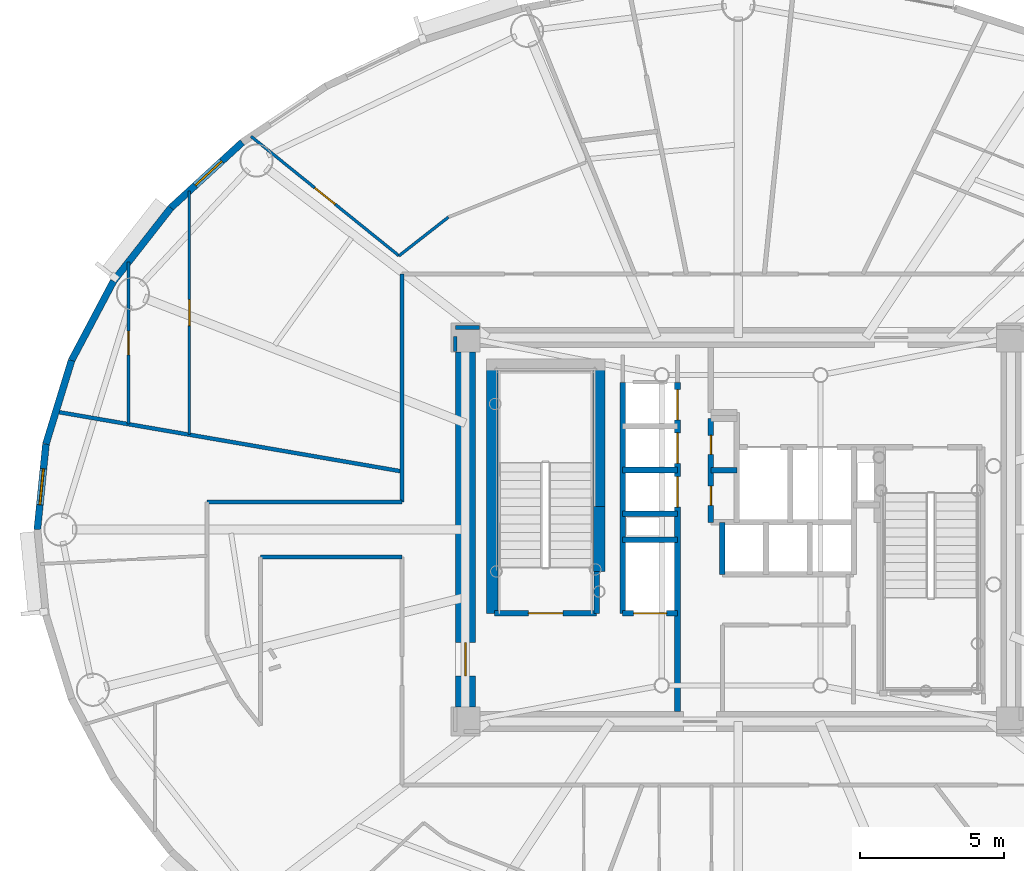
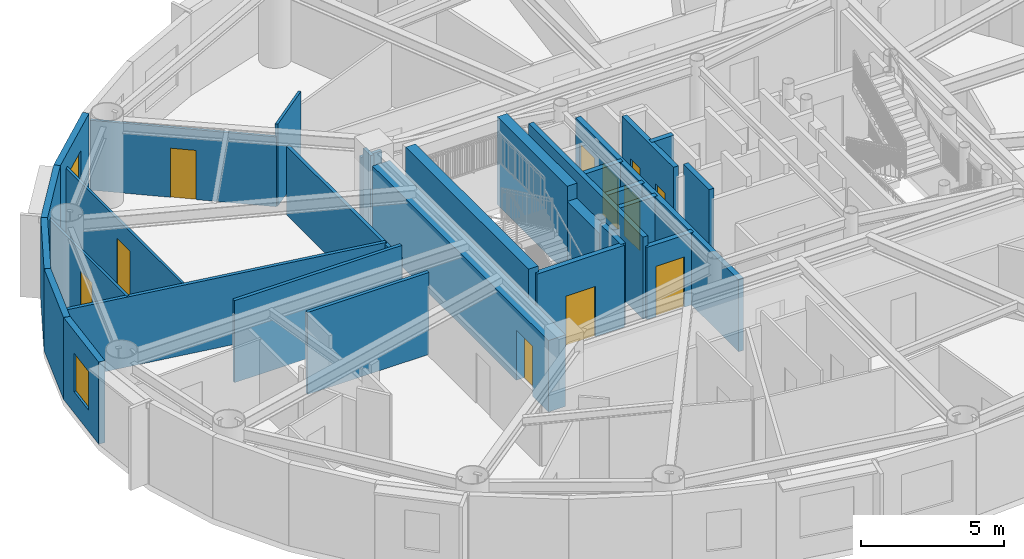
# One storey, part 7 of 18: 30 walls, 11 doors, 2 windows, 13 openings.
"""IFC4 building model written with IfcOpenShell, lengths in metres."""

from ifc_helpers import new_model, si_unit, direction, frame, frame_2d, origin, origin_2d, place, context, subcontext, project, spatial, rectangle, extrude, source, transform, mapped, material, layer, layer_set, type_object, element, fill, save


model = new_model("IFC4")

# Units and contexts
model_context = context("Model", 3, precision=1e-05, world=origin(), true_north=direction((0.0, 1.0)))
body_context = subcontext(model_context, "Body", "Model", "MODEL_VIEW")
ifc_project = project(units=[si_unit("LENGTHUNIT", "METRE"), si_unit("AREAUNIT", "SQUARE_METRE"), si_unit("VOLUMEUNIT", "CUBIC_METRE"), si_unit("PLANEANGLEUNIT", "RADIAN"), si_unit("MASSUNIT", "GRAM", prefix="KILO")], contexts=[model_context])

# Site, building, storey
site_placement = place(None, origin())
site = spatial("IfcSite", under=ifc_project, at=site_placement, CompositionType="ELEMENT")
building_placement = place(site_placement, origin())
building = spatial("IfcBuilding", under=site, at=building_placement, Name="Linh Dai School and Residence Tower", CompositionType="ELEMENT")
storey_placement = place(building_placement, frame((0.0, 0.0, 225.300048828125)))
storey = spatial("IfcBuildingStorey", under=building, at=storey_placement, Name="L55", CompositionType="ELEMENT", Elevation=225.300048828125)

# Wall, opening, window
ifc_material_1 = material(Name="Precast Concrete B45 (C35/45)", Category="concrete")
ifc_layer_1 = layer(ifc_material_1, 0.239990234375)
ifc_layer_set_1 = layer_set([ifc_layer_1], Name="Precast Concrete B45 (C35/45)")
wall_type_1 = type_object("IfcWallType", Name="EW-TC-240", PredefinedType="SOLIDWALL", material=ifc_layer_set_1)
wall_1_placement = place(storey_placement, frame((16.3515625, 38.14453125, 0.0), z_axis=(0.0, 0.0, 1.0), x_axis=(0.737123922599, 0.675757591694, 0.0)))
wall_1 = element("IfcWall", 1, at=wall_1_placement, inside=storey, type_object=wall_type_1, Name="L55 Terracotta Exterior Wall 16", PredefinedType="SOLIDWALL", context=body_context, shape_type="SweptSolid", body=[
    extrude(rectangle(XDim=3.353759765625, YDim=0.239990234375, at=frame_2d((1.6767578125, 0.0))), origin(), (0.0, 0.0, 1.0), 3.5),
])
opening_1_placement = place(wall_1_placement, frame((1.143798828125, 0.0, 0.89990234375)))
opening_1 = element("IfcOpeningElement", 2, at=opening_1_placement, cuts=wall_1, Name="Opening W3", PredefinedType="OPENING", context=body_context, shape_type="SweptSolid", body=[
    extrude(rectangle(XDim=1.25, YDim=1.64990234375, at=origin_2d()), frame((0.625, 0.1298828125, 0.824951171875), z_axis=(0.0, -1.0, 0.0), x_axis=(1.0, 0.0, 0.0)), (0.0, 0.0, 1.0), 0.260009765625),
])
ifc_material_2 = material(Name="Double Low-E Insulated Glazing", Category="glass")
window_type = type_object("IfcWindowType", Name="WN-RES-1250x1650", PartitioningType="SINGLE_PANEL", PredefinedType="WINDOW", material=ifc_material_2)
shared_shape_1 = source(origin(), body_context, "Body", "SweptSolid", [
    extrude(rectangle(XDim=1.25, YDim=1.64990234375, at=origin_2d()), frame((0.625, 0.030029296875, 0.824951171875), z_axis=(0.0, -1.0, 0.0), x_axis=(1.0, 0.0, 0.0)), (0.0, 0.0, 1.0), 0.06005859375),
])
window_1_placement = place(opening_1_placement, origin())
window_1 = element("IfcWindow", 3, at=window_1_placement, inside=storey, type_object=window_type, Name="L55 Dwelling Window U5501-LIV", OverallHeight=1.64990234375, OverallWidth=1.25, PartitioningType="SINGLE_PANEL", PredefinedType="WINDOW", context=body_context, shape_type="MappedRepresentation", body=[
    mapped(shared_shape_1, transform((0.0, 0.0, 0.0), x_axis=(1.0, 0.0, 0.0), y_axis=(0.0, 1.0, 0.0), z_axis=(0.0, 0.0, 1.0), scale=1.0)),
])
fill(opening_1, window_1)

# Walls
wall_2_placement = place(storey_placement, frame((14.3642578125, 35.605224609375, 0.0), z_axis=(0.0, 0.0, 1.0), x_axis=(0.616312344705, 0.787501805562, 0.0)))
element("IfcWall", 4, at=wall_2_placement, inside=storey, type_object=wall_type_1, Name="L55 Terracotta Exterior Wall 17", PredefinedType="SOLIDWALL", context=body_context, shape_type="SweptSolid", body=[
    extrude(rectangle(XDim=3.224609375, YDim=0.239990234375, at=frame_2d((1.6123046875, 0.0))), origin(), (0.0, 0.0, 1.0), 3.5),
])
wall_3_placement = place(storey_placement, frame((12.90966796875, 32.85595703125, 0.0), z_axis=(0.0, 0.0, 1.0), x_axis=(0.46766049993, 0.883908172157, 0.0)))
element("IfcWall", 5, at=wall_3_placement, inside=storey, type_object=wall_type_1, Name="L55 Terracotta Exterior Wall 18", PredefinedType="SOLIDWALL", context=body_context, shape_type="SweptSolid", body=[
    extrude(rectangle(XDim=3.1103515625, YDim=0.239990234375, at=frame_2d((1.55517578125, 0.0))), origin(), (0.0, 0.0, 1.0), 3.5),
])
wall_4_placement = place(storey_placement, frame((12.02294921875, 29.9638671875, 0.0), z_axis=(0.0, 0.0, 1.0), x_axis=(0.293132907334, 0.95607170162, 0.0)))
element("IfcWall", 6, at=wall_4_placement, inside=storey, type_object=wall_type_1, Name="L55 Terracotta Exterior Wall 19", PredefinedType="SOLIDWALL", context=body_context, shape_type="SweptSolid", body=[
    extrude(rectangle(XDim=3.02490234375, YDim=0.239990234375, at=frame_2d((1.512451171875, 0.0))), origin(), (0.0, 0.0, 1.0), 3.5),
])

# Wall, opening, window
wall_5_placement = place(storey_placement, frame((11.72509765625, 27.0, 0.0), z_axis=(0.0, 0.0, 1.0), x_axis=(0.099990595253, 0.994988382274, 0.0)))
wall_5 = element("IfcWall", 7, at=wall_5_placement, inside=storey, type_object=wall_type_1, Name="L55 Terracotta Exterior Wall 20", PredefinedType="SOLIDWALL", context=body_context, shape_type="SweptSolid", body=[
    extrude(rectangle(XDim=2.978759765625, YDim=0.239990234375, at=frame_2d((1.4892578125, 0.0))), origin(), (0.0, 0.0, 1.0), 3.5),
])
opening_2_placement = place(wall_5_placement, frame((0.864501953125, 0.0, 0.89990234375)))
opening_2 = element("IfcOpeningElement", 8, at=opening_2_placement, cuts=wall_5, Name="Opening W3", PredefinedType="OPENING", context=body_context, shape_type="SweptSolid", body=[
    extrude(rectangle(XDim=1.25, YDim=1.64990234375, at=origin_2d()), frame((0.625, 0.1298828125, 0.824951171875), z_axis=(0.0, -1.0, 0.0), x_axis=(1.0, 0.0, 0.0)), (0.0, 0.0, 1.0), 0.260009765625),
])
window_2_placement = place(opening_2_placement, origin())
window_2 = element("IfcWindow", 9, at=window_2_placement, inside=storey, type_object=window_type, Name="L55 Dwelling Window U5502-BD1", OverallHeight=1.64990234375, OverallWidth=1.25, PartitioningType="SINGLE_PANEL", PredefinedType="WINDOW", context=body_context, shape_type="MappedRepresentation", body=[
    mapped(shared_shape_1, transform((0.0, 0.0, 0.0), x_axis=(1.0, 0.0, 0.0), y_axis=(0.0, 1.0, 0.0), z_axis=(0.0, 0.0, 1.0), scale=1.0)),
])
fill(opening_2, window_2)

# Walls
ifc_material_3 = material(Name="Autoclaved Aerated Concrete Blockwork", Category="masonry")
ifc_layer_2 = layer(ifc_material_3, 0.135009765625)
ifc_layer_set_2 = layer_set([ifc_layer_2], Name="Autoclaved Aerated Concrete Blockwork")
wall_type_2 = type_object("IfcWallType", Name="IW-CORR-135-EI90", PredefinedType="PARTITIONING", material=ifc_layer_set_2)
wall_6_placement = place(storey_placement, frame((12.361328125, 31.08447265625, 0.0), z_axis=(0.0, 0.0, 1.0), x_axis=(0.98539748391, -0.17026978212, 0.0)))
element("IfcWall", 10, at=wall_6_placement, inside=storey, type_object=wall_type_2, Name="L55 Interior Partition Wall 002", PredefinedType="PARTITIONING", context=body_context, shape_type="SweptSolid", body=[
    extrude(rectangle(XDim=12.166259765625, YDim=0.135009765625, at=frame_2d((6.0830078125, 0.0))), origin(), (0.0, 0.0, 1.0), 2.98486328125),
])
wall_7_placement = place(storey_placement, frame((17.60009765625, 27.949951171875, 0.0), z_axis=(0.0, 0.0, 1.0), x_axis=(1.0, 0.0, 0.0)))
element("IfcWall", 11, at=wall_7_placement, inside=storey, type_object=wall_type_2, Name="L55 Interior Partition Wall 009", PredefinedType="PARTITIONING", context=body_context, shape_type="SweptSolid", body=[
    extrude(rectangle(XDim=6.75, YDim=0.135009765625, at=frame_2d((3.375, 0.0))), origin(), (0.0, 0.0, 1.0), 3.5),
])
wall_8_placement = place(storey_placement, frame((19.449951171875, 26.050048828125, 0.0), z_axis=(0.0, 0.0, 1.0), x_axis=(1.0, 0.0, 0.0)))
element("IfcWall", 12, at=wall_8_placement, inside=storey, type_object=wall_type_2, Name="L55 Interior Partition Wall 015", PredefinedType="PARTITIONING", context=body_context, shape_type="SweptSolid", body=[
    extrude(rectangle(XDim=4.900146484375, YDim=0.135009765625, at=frame_2d((2.4501953125, 0.0))), origin(), (0.0, 0.0, 1.0), 3.5),
])
wall_9_placement = place(storey_placement, frame((24.35009765625, 27.949951171875, 0.0), z_axis=(0.0, 0.0, 1.0), x_axis=(0.0, 1.0, 0.0)))
element("IfcWall", 13, at=wall_9_placement, inside=storey, type_object=wall_type_2, Name="L55 Interior Partition Wall 020", PredefinedType="PARTITIONING", context=body_context, shape_type="SweptSolid", body=[
    extrude(rectangle(XDim=7.900146484375, YDim=0.135009765625, at=frame_2d((3.9501953125, 0.0))), origin(), (0.0, 0.0, 1.0), 2.93505859375),
])
wall_10_placement = place(storey_placement, frame((27.0400390625, 34.0, 0.0), z_axis=(0.0, 0.0, 1.0), x_axis=(-1.0, 0.0, 0.0)))
element("IfcWall", 14, at=wall_10_placement, inside=storey, type_object=wall_type_2, Name="L55 Interior Partition Wall 099", PredefinedType="PARTITIONING", context=body_context, shape_type="SweptSolid", body=[
    extrude(rectangle(XDim=0.840087890625, YDim=0.135009765625, at=frame_2d((0.419921875, 0.0))), origin(), (0.0, 0.0, 1.0), 2.93505859375),
])
wall_11_placement = place(storey_placement, frame((26.199951171875, 33.6923828125, 0.0), z_axis=(0.0, 0.0, 1.0), x_axis=(0.0, -1.0, 0.0)))
element("IfcWall", 15, at=wall_11_placement, inside=storey, type_object=wall_type_2, Name="L55 Interior Partition Wall 100", PredefinedType="PARTITIONING", context=body_context, shape_type="SweptSolid", body=[
    extrude(rectangle(XDim=0.532470703125, YDim=0.135009765625, at=frame_2d((0.26611328125, 0.0))), origin(), (0.0, 0.0, 1.0), 3.5),
])

# Wall, opening, door
ifc_material_4 = material(Name="Concrete B45 (C35/45)", Category="concrete")
ifc_layer_3 = layer(ifc_material_4, 0.199951171875)
ifc_layer_set_3 = layer_set([ifc_layer_3], Name="Concrete B45 (C35/45)")
wall_type_3 = type_object("IfcWallType", Name="IW-SHAFT-200-EI120", PredefinedType="PARTITIONING", material=ifc_layer_set_3)
wall_12_placement = place(storey_placement, frame((27.56005859375, 24.10009765625, 0.0), z_axis=(0.0, 0.0, 1.0), x_axis=(1.0, 0.0, 0.0)))
wall_12 = element("IfcWall", 16, at=wall_12_placement, inside=storey, type_object=wall_type_3, Name="L55 Interior Partition Wall 025", PredefinedType="PARTITIONING", context=body_context, shape_type="SweptSolid", body=[
    extrude(rectangle(XDim=3.5400390625, YDim=0.199951171875, at=frame_2d((1.77001953125, 0.0))), origin(), (0.0, 0.0, 1.0), 3.5),
])
opening_3_placement = place(wall_12_placement, frame((1.169921875, 0.0, 0.0)))
opening_3 = element("IfcOpeningElement", 17, at=opening_3_placement, cuts=wall_12, Name="Opening D01", PredefinedType="OPENING", context=body_context, shape_type="SweptSolid", body=[
    extrude(rectangle(XDim=1.199951171875, YDim=2.14990234375, at=origin_2d()), frame((0.60009765625, 0.10986328125, 1.074951171875), z_axis=(0.0, -1.0, 0.0), x_axis=(1.0, 0.0, 0.0)), (0.0, 0.0, 1.0), 0.219970703125),
])
ifc_material_5 = material(Name="Fire-Rated Steel Door Leaf", Category="steel")
door_type_1 = type_object("IfcDoorType", Name="DR-STAIR-1200x2150-FD90S", OperationType="NOTDEFINED", PredefinedType="DOOR", material=ifc_material_5)
shared_shape_2 = source(origin(), body_context, "Body", "SweptSolid", [
    extrude(rectangle(XDim=1.199951171875, YDim=2.14990234375, at=origin_2d()), frame((0.60009765625, 0.02490234375, 1.074951171875), z_axis=(0.0, -1.0, 0.0), x_axis=(1.0, 0.0, 0.0)), (0.0, 0.0, 1.0), 0.050048828125),
])
door_1_placement = place(opening_3_placement, origin())
door_1 = element("IfcDoor", 18, at=door_1_placement, inside=storey, type_object=door_type_1, Name="L55 Core Smokeproof Exit Stair ST1 Door", OperationType="SINGLE_SWING_RIGHT", OverallHeight=2.14990234375, OverallWidth=1.199951171875, PredefinedType="DOOR", context=body_context, shape_type="MappedRepresentation", body=[
    mapped(shared_shape_2, transform((0.0, 0.0, 0.0), x_axis=(1.0, 0.0, 0.0), y_axis=(0.0, 1.0, 0.0), z_axis=(0.0, 0.0, 1.0), scale=1.0)),
])
fill(opening_3, door_1)

# Walls
wall_13_placement = place(storey_placement, frame((31.10009765625, 24.10009765625, 0.0), z_axis=(0.0, 0.0, 1.0), x_axis=(0.0, 1.0, 0.0)))
element("IfcWall", 19, at=wall_13_placement, inside=storey, type_object=wall_type_3, Name="L55 Interior Partition Wall 031", PredefinedType="PARTITIONING", context=body_context, shape_type="SweptSolid", body=[
    extrude(rectangle(XDim=1.43994140625, YDim=0.199951171875, at=frame_2d((0.719970703125, 0.0))), origin(), (0.0, 0.0, 1.0), 3.5),
])
wall_14_placement = place(storey_placement, frame((32.0, 24.10009765625, 0.0), z_axis=(0.0, 0.0, 1.0), x_axis=(0.0, 1.0, 0.0)))
element("IfcWall", 20, at=wall_14_placement, inside=storey, type_object=wall_type_3, Name="L55 Interior Partition Wall 032", PredefinedType="PARTITIONING", context=body_context, shape_type="SweptSolid", body=[
    extrude(rectangle(XDim=8.0, YDim=0.199951171875, at=frame_2d((4.0, 0.0))), origin(), (0.0, 0.0, 1.0), 3.5),
])

# Wall, opening, door
wall_15_placement = place(storey_placement, frame((32.0, 24.10009765625, 0.0), z_axis=(0.0, 0.0, 1.0), x_axis=(1.0, 0.0, 0.0)))
wall_15 = element("IfcWall", 21, at=wall_15_placement, inside=storey, type_object=wall_type_3, Name="L55 Interior Partition Wall 033", PredefinedType="PARTITIONING", context=body_context, shape_type="SweptSolid", body=[
    extrude(rectangle(XDim=1.89990234375, YDim=0.199951171875, at=frame_2d((0.949951171875, 0.0))), origin(), (0.0, 0.0, 1.0), 3.0849609375),
])
opening_4_placement = place(wall_15_placement, frame((0.375, 0.0, 0.0)))
opening_4 = element("IfcOpeningElement", 22, at=opening_4_placement, cuts=wall_15, Name="Opening LD-FF2", PredefinedType="OPENING", context=body_context, shape_type="SweptSolid", body=[
    extrude(rectangle(XDim=1.14990234375, YDim=2.14990234375, at=origin_2d()), frame((0.574951171875, 0.10986328125, 1.074951171875), z_axis=(0.0, -1.0, 0.0), x_axis=(1.0, 0.0, 0.0)), (0.0, 0.0, 1.0), 0.219970703125),
])
ifc_material_6 = material(Name="Fire-Rated Stainless Steel Firefighting Lift Door", Category="steel")
door_type_2 = type_object("IfcDoorType", Name="DR-LD-FF-1150x2150-FD120", OperationType="DOUBLE_DOOR_SLIDING", PredefinedType="USERDEFINED", material=ifc_material_6)
shared_shape_3 = source(origin(), body_context, "Body", "SweptSolid", [
    extrude(rectangle(XDim=1.14990234375, YDim=2.14990234375, at=origin_2d()), frame((0.574951171875, 0.02490234375, 1.074951171875), z_axis=(0.0, -1.0, 0.0), x_axis=(1.0, 0.0, 0.0)), (0.0, 0.0, 1.0), 0.050048828125),
])
door_2_placement = place(opening_4_placement, origin())
door_2 = element("IfcDoor", 23, at=door_2_placement, inside=storey, type_object=door_type_2, Name="L55 Lift FF2 Sliding Landing Door", ObjectType="LANDING DOOR", OperationType="DOUBLE_DOOR_SLIDING", OverallHeight=2.14990234375, OverallWidth=1.14990234375, PredefinedType="USERDEFINED", context=body_context, shape_type="MappedRepresentation", body=[
    mapped(shared_shape_3, transform((0.0, 0.0, 0.0), x_axis=(1.0, 0.0, 0.0), y_axis=(0.0, 1.0, 0.0), z_axis=(0.0, 0.0, 1.0), scale=1.0)),
])
fill(opening_4, door_2)

# Walls
for number, where, z_axis, x_axis, name in (
    (24, (32.0, 26.64990234375, 0.0), (0.0, 0.0, 1.0), (1.0, 0.0, 0.0), "L55 Interior Partition Wall 034"),
    (25, (32.0, 27.550048828125, 0.0), (0.0, 0.0, 1.0), (1.0, 0.0, 0.0), "L55 Interior Partition Wall 035"),
    (26, (32.0, 29.06005859375, 0.0), (0.0, 0.0, 1.0), (1.0, 0.0, 0.0), "L55 Interior Partition Wall 036"),
):
    element("IfcWall", number, at=place(storey_placement, frame(where, z_axis=z_axis, x_axis=x_axis)), inside=storey, type_object=wall_type_3, Name=name, PredefinedType="PARTITIONING", context=body_context, shape_type="SweptSolid", body=[
        extrude(rectangle(XDim=1.89990234375, YDim=0.199951171875, at=frame_2d((0.949951171875, 0.0))), origin(), (0.0, 0.0, 1.0), 3.0849609375),
    ])

# Wall, openings, doors
wall_16_placement = place(storey_placement, frame((33.89990234375, 20.699951171875, 0.0), z_axis=(0.0, 0.0, 1.0), x_axis=(0.0, 1.0, 0.0)))
wall_16 = element("IfcWall", 27, at=wall_16_placement, inside=storey, type_object=wall_type_3, Name="L55 Interior Partition Wall 040", PredefinedType="PARTITIONING", context=body_context, shape_type="SweptSolid", body=[
    extrude(rectangle(XDim=11.400146484375, YDim=0.199951171875, at=frame_2d((5.7001953125, 0.0))), origin(), (0.0, 0.0, 1.0), 3.0849609375),
])
opening_5_placement = place(wall_16_placement, frame((7.080078125, 0.0, 0.0)))
opening_5 = element("IfcOpeningElement", 28, at=opening_5_placement, cuts=wall_16, Name="Opening LD-PL4", PredefinedType="OPENING", context=body_context, shape_type="SweptSolid", body=[
    extrude(rectangle(XDim=1.050048828125, YDim=2.14990234375, at=origin_2d()), frame((0.52490234375, 0.10986328125, 1.074951171875), z_axis=(0.0, -1.0, 0.0), x_axis=(1.0, 0.0, 0.0)), (0.0, 0.0, 1.0), 0.219970703125),
])
opening_6_placement = place(wall_16_placement, frame((8.594970703125, 0.0, 0.0)))
opening_6 = element("IfcOpeningElement", 29, at=opening_6_placement, cuts=wall_16, Name="Opening LD-PL5", PredefinedType="OPENING", context=body_context, shape_type="SweptSolid", body=[
    extrude(rectangle(XDim=1.050048828125, YDim=2.14990234375, at=origin_2d()), frame((0.52490234375, 0.10986328125, 1.074951171875), z_axis=(0.0, -1.0, 0.0), x_axis=(1.0, 0.0, 0.0)), (0.0, 0.0, 1.0), 0.219970703125),
])
opening_7_placement = place(wall_16_placement, frame((10.094970703125, 0.0, 0.0)))
opening_7 = element("IfcOpeningElement", 30, at=opening_7_placement, cuts=wall_16, Name="Opening LD-PL6", PredefinedType="OPENING", context=body_context, shape_type="SweptSolid", body=[
    extrude(rectangle(XDim=1.050048828125, YDim=2.14990234375, at=origin_2d()), frame((0.52490234375, 0.10986328125, 1.074951171875), z_axis=(0.0, -1.0, 0.0), x_axis=(1.0, 0.0, 0.0)), (0.0, 0.0, 1.0), 0.219970703125),
])
ifc_material_7 = material(Name="Brushed Stainless Steel Lift Landing Door", Category="steel")
door_type_3 = type_object("IfcDoorType", Name="DR-LD-PASS-1050x2150", OperationType="DOUBLE_DOOR_SLIDING", PredefinedType="USERDEFINED", material=ifc_material_7)
shared_shape_4 = source(origin(), body_context, "Body", "SweptSolid", [
    extrude(rectangle(XDim=1.050048828125, YDim=2.14990234375, at=origin_2d()), frame((0.52490234375, 0.02490234375, 1.074951171875), z_axis=(0.0, -1.0, 0.0), x_axis=(1.0, 0.0, 0.0)), (0.0, 0.0, 1.0), 0.050048828125),
])
door_3_placement = place(opening_5_placement, origin())
door_3 = element("IfcDoor", 31, at=door_3_placement, inside=storey, type_object=door_type_3, Name="L55 Lift PL4 Sliding Landing Door", ObjectType="LANDING DOOR", OperationType="DOUBLE_DOOR_SLIDING", OverallHeight=2.14990234375, OverallWidth=1.050048828125, PredefinedType="USERDEFINED", context=body_context, shape_type="MappedRepresentation", body=[
    mapped(shared_shape_4, transform((0.0, 0.0, 0.0), x_axis=(1.0, 0.0, 0.0), y_axis=(0.0, 1.0, 0.0), z_axis=(0.0, 0.0, 1.0), scale=1.0)),
])
fill(opening_5, door_3)
door_4_placement = place(opening_6_placement, origin())
door_4 = element("IfcDoor", 32, at=door_4_placement, inside=storey, type_object=door_type_3, Name="L55 Lift PL5 Sliding Landing Door", ObjectType="LANDING DOOR", OperationType="DOUBLE_DOOR_SLIDING", OverallHeight=2.14990234375, OverallWidth=1.050048828125, PredefinedType="USERDEFINED", context=body_context, shape_type="MappedRepresentation", body=[
    mapped(shared_shape_4, transform((0.0, 0.0, 0.0), x_axis=(1.0, 0.0, 0.0), y_axis=(0.0, 1.0, 0.0), z_axis=(0.0, 0.0, 1.0), scale=1.0)),
])
fill(opening_6, door_4)
door_5_placement = place(opening_7_placement, origin())
door_5 = element("IfcDoor", 33, at=door_5_placement, inside=storey, type_object=door_type_3, Name="L55 Lift PL6 Sliding Landing Door", ObjectType="LANDING DOOR", OperationType="DOUBLE_DOOR_SLIDING", OverallHeight=2.14990234375, OverallWidth=1.050048828125, PredefinedType="USERDEFINED", context=body_context, shape_type="MappedRepresentation", body=[
    mapped(shared_shape_4, transform((0.0, 0.0, 0.0), x_axis=(1.0, 0.0, 0.0), y_axis=(0.0, 1.0, 0.0), z_axis=(0.0, 0.0, 1.0), scale=1.0)),
])
fill(opening_7, door_5)

wall_17_placement = place(storey_placement, frame((35.050048828125, 27.25, 0.0), z_axis=(0.0, 0.0, 1.0), x_axis=(0.0, 1.0, 0.0)))
wall_17 = element("IfcWall", 34, at=wall_17_placement, inside=storey, type_object=wall_type_3, Name="L55 Interior Partition Wall 041", PredefinedType="PARTITIONING", context=body_context, shape_type="SweptSolid", body=[
    extrude(rectangle(XDim=3.60009765625, YDim=0.199951171875, at=frame_2d((1.800048828125, 0.0))), origin(), (0.0, 0.0, 1.0), 3.5),
])
opening_8_placement = place(wall_17_placement, frame((0.590087890625, 0.0, 0.0)))
opening_8 = element("IfcOpeningElement", 35, at=opening_8_placement, cuts=wall_17, Name="Opening AD1", PredefinedType="OPENING", context=body_context, shape_type="SweptSolid", body=[
    extrude(rectangle(XDim=0.659912109375, YDim=2.050048828125, at=origin_2d()), frame((0.330078125, 0.10986328125, 1.02490234375), z_axis=(0.0, -1.0, 0.0), x_axis=(1.0, 0.0, 0.0)), (0.0, 0.0, 1.0), 0.219970703125),
])
opening_9_placement = place(wall_17_placement, frame((2.35009765625, 0.0, 0.0)))
opening_9 = element("IfcOpeningElement", 36, at=opening_9_placement, cuts=wall_17, Name="Opening AD1", PredefinedType="OPENING", context=body_context, shape_type="SweptSolid", body=[
    extrude(rectangle(XDim=0.659912109375, YDim=2.050048828125, at=origin_2d()), frame((0.330078125, 0.10986328125, 1.02490234375), z_axis=(0.0, -1.0, 0.0), x_axis=(1.0, 0.0, 0.0)), (0.0, 0.0, 1.0), 0.219970703125),
])
ifc_material_8 = material(Name="Fire-Rated Steel Riser Access Door", Category="steel")
door_type_4 = type_object("IfcDoorType", Name="DR-ACC-660x2050-FD90S", OperationType="NOTDEFINED", PredefinedType="USERDEFINED", material=ifc_material_8)
shared_shape_5 = source(origin(), body_context, "Body", "SweptSolid", [
    extrude(rectangle(XDim=0.659912109375, YDim=2.050048828125, at=origin_2d()), frame((0.330078125, 0.02490234375, 1.02490234375), z_axis=(0.0, -1.0, 0.0), x_axis=(1.0, 0.0, 0.0)), (0.0, 0.0, 1.0), 0.050048828125),
])
door_6_placement = place(opening_8_placement, origin())
door_6 = element("IfcDoor", 37, at=door_6_placement, inside=storey, type_object=door_type_4, Name="L55 Telecom and Data Riser Access Door", ObjectType="ACCESS DOOR", OperationType="SINGLE_SWING_RIGHT", OverallHeight=2.050048828125, OverallWidth=0.659912109375, PredefinedType="USERDEFINED", context=body_context, shape_type="MappedRepresentation", body=[
    mapped(shared_shape_5, transform((0.0, 0.0, 0.0), x_axis=(1.0, 0.0, 0.0), y_axis=(0.0, 1.0, 0.0), z_axis=(0.0, 0.0, 1.0), scale=1.0)),
])
fill(opening_8, door_6)
door_7_placement = place(opening_9_placement, origin())
door_7 = element("IfcDoor", 38, at=door_7_placement, inside=storey, type_object=door_type_4, Name="L55 Mechanical and Plumbing Riser Access Door", ObjectType="ACCESS DOOR", OperationType="SINGLE_SWING_LEFT", OverallHeight=2.050048828125, OverallWidth=0.659912109375, PredefinedType="USERDEFINED", context=body_context, shape_type="MappedRepresentation", body=[
    mapped(shared_shape_5, transform((0.0, 0.0, 0.0), x_axis=(1.0, 0.0, 0.0), y_axis=(0.0, 1.0, 0.0), z_axis=(0.0, 0.0, 1.0), scale=1.0)),
])
fill(opening_9, door_7)

# Walls
wall_18_placement = place(storey_placement, frame((35.050048828125, 29.050048828125, 0.0), z_axis=(0.0, 0.0, 1.0), x_axis=(1.0, 0.0, 0.0)))
element("IfcWall", 39, at=wall_18_placement, inside=storey, type_object=wall_type_3, Name="L55 Interior Partition Wall 043", PredefinedType="PARTITIONING", context=body_context, shape_type="SweptSolid", body=[
    extrude(rectangle(XDim=0.89990234375, YDim=0.199951171875, at=frame_2d((0.449951171875, 0.0))), origin(), (0.0, 0.0, 1.0), 3.5),
])
wall_19_placement = place(storey_placement, frame((35.449951171875, 25.449951171875, 0.0), z_axis=(0.0, 0.0, 1.0), x_axis=(0.0, 1.0, 0.0)))
element("IfcWall", 40, at=wall_19_placement, inside=storey, type_object=wall_type_3, Name="L55 Interior Partition Wall 050", PredefinedType="PARTITIONING", context=body_context, shape_type="SweptSolid", body=[
    extrude(rectangle(XDim=1.800048828125, YDim=0.199951171875, at=frame_2d((0.89990234375, 0.0))), origin(), (0.0, 0.0, 1.0), 3.5),
])

# Wall, opening, door
ifc_material_9 = material(Name="Gypsum Plasterboard Acoustic Stud Partition", Category="masonry")
ifc_layer_4 = layer(ifc_material_9, 0.10009765625)
ifc_layer_set_4 = layer_set([ifc_layer_4], Name="Gypsum Plasterboard Acoustic Stud Partition")
wall_type_4 = type_object("IfcWallType", Name="IW-UNIT-100", PredefinedType="PARTITIONING", material=ifc_layer_set_4)
wall_20_placement = place(storey_placement, frame((14.882080078125, 30.64892578125, 0.0), z_axis=(0.0, 0.0, 1.0), x_axis=(0.0, 1.0, 0.0)))
wall_20 = element("IfcWall", 41, at=wall_20_placement, inside=storey, type_object=wall_type_4, Name="L55 Interior Partition Wall 004", PredefinedType="PARTITIONING", context=body_context, shape_type="SweptSolid", body=[
    extrude(rectangle(XDim=5.6259765625, YDim=0.10009765625, at=frame_2d((2.81298828125, 0.0))), origin(), (0.0, 0.0, 1.0), 2.98486328125),
])
opening_10_placement = place(wall_20_placement, frame((2.403076171875, 0.0, 0.0)))
opening_10 = element("IfcOpeningElement", 42, at=opening_10_placement, cuts=wall_20, Name="Opening D06", PredefinedType="OPENING", context=body_context, shape_type="SweptSolid", body=[
    extrude(rectangle(XDim=0.820068359375, YDim=2.10009765625, at=origin_2d()), frame((0.41015625, 0.06005859375, 1.050048828125), z_axis=(0.0, -1.0, 0.0), x_axis=(1.0, 0.0, 0.0)), (0.0, 0.0, 1.0), 0.1201171875),
])
ifc_material_10 = material(Name="Moisture-Resistant Timber Bathroom Door", Category="wood")
door_type_5 = type_object("IfcDoorType", Name="DR-WET-820x2100", OperationType="NOTDEFINED", PredefinedType="DOOR", material=ifc_material_10)
shared_shape_6 = source(origin(), body_context, "Body", "SweptSolid", [
    extrude(rectangle(XDim=0.820068359375, YDim=2.10009765625, at=origin_2d()), frame((0.41015625, 0.02490234375, 1.050048828125), z_axis=(0.0, -1.0, 0.0), x_axis=(1.0, 0.0, 0.0)), (0.0, 0.0, 1.0), 0.050048828125),
])
door_8_placement = place(opening_10_placement, origin())
door_8 = element("IfcDoor", 43, at=door_8_placement, inside=storey, type_object=door_type_5, Name="L55 Apartment U5501 Bathroom 1 Door", OperationType="SINGLE_SWING_LEFT", OverallHeight=2.10009765625, OverallWidth=0.820068359375, PredefinedType="DOOR", context=body_context, shape_type="MappedRepresentation", body=[
    mapped(shared_shape_6, transform((0.0, 0.0, 0.0), x_axis=(1.0, 0.0, 0.0), y_axis=(0.0, 1.0, 0.0), z_axis=(0.0, 0.0, 1.0), scale=1.0)),
])
fill(opening_10, door_8)

wall_21_placement = place(storey_placement, frame((16.987060546875, 30.28515625, 0.0), z_axis=(0.0, 0.0, 1.0), x_axis=(0.0, 1.0, 0.0)))
wall_21 = element("IfcWall", 44, at=wall_21_placement, inside=storey, type_object=wall_type_4, Name="L55 Interior Partition Wall 006", PredefinedType="PARTITIONING", context=body_context, shape_type="SweptSolid", body=[
    extrude(rectangle(XDim=8.44873046875, YDim=0.10009765625, at=frame_2d((4.224365234375, 0.0))), origin(), (0.0, 0.0, 1.0), 2.93505859375),
])
opening_11_placement = place(wall_21_placement, frame((3.7744140625, 0.0, 0.0)))
opening_11 = element("IfcOpeningElement", 45, at=opening_11_placement, cuts=wall_21, Name="Opening D05", PredefinedType="OPENING", context=body_context, shape_type="SweptSolid", body=[
    extrude(rectangle(XDim=0.89990234375, YDim=2.10009765625, at=origin_2d()), frame((0.449951171875, 0.06005859375, 1.050048828125), z_axis=(0.0, -1.0, 0.0), x_axis=(1.0, 0.0, 0.0)), (0.0, 0.0, 1.0), 0.1201171875),
])
ifc_material_11 = material(Name="Engineered Timber Internal Door", Category="wood")
door_type_6 = type_object("IfcDoorType", Name="DR-INT-900x2100", OperationType="NOTDEFINED", PredefinedType="DOOR", material=ifc_material_11)
shared_shape_7 = source(origin(), body_context, "Body", "SweptSolid", [
    extrude(rectangle(XDim=0.89990234375, YDim=2.10009765625, at=origin_2d()), frame((0.449951171875, 0.02490234375, 1.050048828125), z_axis=(0.0, -1.0, 0.0), x_axis=(1.0, 0.0, 0.0)), (0.0, 0.0, 1.0), 0.050048828125),
])
door_9_placement = place(opening_11_placement, origin())
door_9 = element("IfcDoor", 46, at=door_9_placement, inside=storey, type_object=door_type_6, Name="L55 Apartment U5501 Kitchen Door", OperationType="SINGLE_SWING_RIGHT", OverallHeight=2.10009765625, OverallWidth=0.89990234375, PredefinedType="DOOR", context=body_context, shape_type="MappedRepresentation", body=[
    mapped(shared_shape_7, transform((0.0, 0.0, 0.0), x_axis=(1.0, 0.0, 0.0), y_axis=(0.0, 1.0, 0.0), z_axis=(0.0, 0.0, 1.0), scale=1.0)),
])
fill(opening_11, door_9)

wall_22_placement = place(storey_placement, frame((19.124267578125, 40.617919921875, 0.0), z_axis=(0.0, 0.0, 1.0), x_axis=(0.778207956818, -0.62800666871, 0.0)))
wall_22 = element("IfcWall", 47, at=wall_22_placement, inside=storey, type_object=wall_type_4, Name="L55 Interior Partition Wall 012", PredefinedType="PARTITIONING", context=body_context, shape_type="SweptSolid", body=[
    extrude(rectangle(XDim=6.587890625, YDim=0.10009765625, at=frame_2d((3.2939453125, 0.0))), origin(), (0.0, 0.0, 1.0), 2.98486328125),
])
opening_12_placement = place(wall_22_placement, frame((2.843994140625, 0.0, 0.0)))
opening_12 = element("IfcOpeningElement", 48, at=opening_12_placement, cuts=wall_22, Name="Opening D05", PredefinedType="OPENING", context=body_context, shape_type="SweptSolid", body=[
    extrude(rectangle(XDim=0.89990234375, YDim=2.10009765625, at=origin_2d()), frame((0.449951171875, 0.06005859375, 1.050048828125), z_axis=(0.0, -1.0, 0.0), x_axis=(1.0, 0.0, 0.0)), (0.0, 0.0, 1.0), 0.1201171875),
])
door_10_placement = place(opening_12_placement, origin())
door_10 = element("IfcDoor", 49, at=door_10_placement, inside=storey, type_object=door_type_6, Name="L55 Apartment U5501 Principal Bedroom 1 Door", OperationType="SINGLE_SWING_LEFT", OverallHeight=2.10009765625, OverallWidth=0.89990234375, PredefinedType="DOOR", context=body_context, shape_type="MappedRepresentation", body=[
    mapped(shared_shape_7, transform((0.0, 0.0, 0.0), x_axis=(1.0, 0.0, 0.0), y_axis=(0.0, 1.0, 0.0), z_axis=(0.0, 0.0, 1.0), scale=1.0)),
])
fill(opening_12, door_10)

# Walls
wall_23_placement = place(storey_placement, frame((24.2509765625, 36.480712890625, 0.0), z_axis=(0.0, 0.0, 1.0), x_axis=(0.787374491509, 0.616474987426, 0.0)))
element("IfcWall", 50, at=wall_23_placement, inside=storey, type_object=wall_type_4, Name="L55 Interior Partition Wall 017", PredefinedType="PARTITIONING", context=body_context, shape_type="SweptSolid", body=[
    extrude(rectangle(XDim=2.17138671875, YDim=0.10009765625, at=frame_2d((1.085693359375, 0.0))), origin(), (0.0, 0.0, 1.0), 3.5),
])
ifc_layer_5 = layer(ifc_material_4, 0.39990234375)
ifc_layer_set_5 = layer_set([ifc_layer_5], Name="Concrete B45 (C35/45)")
wall_type_5 = type_object("IfcWallType", Name="WL-CORE400", PredefinedType="SHEAR", material=ifc_layer_set_5)
wall_24_placement = place(storey_placement, frame((27.47998046875, 24.10009765625, 0.0), z_axis=(0.0, 0.0, 1.0), x_axis=(0.0, 1.0, 0.0)))
element("IfcWall", 51, at=wall_24_placement, inside=storey, type_object=wall_type_5, Name="L55 Core Stair ST1 Bearing Wall W", PredefinedType="SHEAR", context=body_context, shape_type="SweptSolid", body=[
    extrude(rectangle(XDim=8.599853515625, YDim=0.39990234375, at=frame_2d((4.2998046875, 0.0))), origin(), (0.0, 0.0, 1.0), 3.75),
])
wall_25_placement = place(storey_placement, frame((31.179931640625, 27.800048828125, 0.0), z_axis=(0.0, 0.0, 1.0), x_axis=(0.0, 1.0, 0.0)))
element("IfcWall", 52, at=wall_25_placement, inside=storey, type_object=wall_type_5, Name="L55 Core Stair ST1 Bearing Wall E", PredefinedType="SHEAR", context=body_context, shape_type="SweptSolid", body=[
    extrude(rectangle(XDim=4.89990234375, YDim=0.39990234375, at=frame_2d((2.449951171875, 0.0))), origin(), (0.0, 0.0, 1.0), 3.75),
])
wall_26_placement = place(storey_placement, frame((31.179931640625, 25.550048828125, 0.0), z_axis=(0.0, 0.0, 1.0), x_axis=(0.0, 1.0, 0.0)))
element("IfcWall", 53, at=wall_26_placement, inside=storey, type_object=wall_type_5, Name="L55 Internal Core Shear Wall IW", PredefinedType="SHEAR", context=body_context, shape_type="SweptSolid", body=[
    extrude(rectangle(XDim=2.25, YDim=0.39990234375, at=frame_2d((1.125, 0.0))), origin(), (0.0, 0.0, 1.0), 3.099853515625),
])

# Wall, opening, door
ifc_layer_6 = layer(ifc_material_4, 0.699951171875)
ifc_layer_set_6 = layer_set([ifc_layer_6], Name="Concrete B45 (C35/45)")
wall_type_6 = type_object("IfcWallType", Name="WL-CORE700", PredefinedType="SHEAR", material=ifc_layer_set_6)
wall_27_placement = place(storey_placement, frame((26.550048828125, 20.85009765625, 0.0), z_axis=(0.0, 0.0, 1.0), x_axis=(0.0, 1.0, 0.0)))
wall_27 = element("IfcWall", 54, at=wall_27_placement, inside=storey, type_object=wall_type_6, Name="L55 Central Core Shear Wall W", PredefinedType="SHEAR", context=body_context, shape_type="SweptSolid", body=[
    extrude(rectangle(XDim=12.2998046875, YDim=0.699951171875, at=frame_2d((6.14990234375, 0.0))), origin(), (0.0, 0.0, 1.0), 3.050048828125),
])
opening_13_placement = place(wall_27_placement, frame((1.085205078125, 0.0, 0.0)))
opening_13 = element("IfcOpeningElement", 55, at=opening_13_placement, cuts=wall_27, Name="Opening D02", PredefinedType="OPENING", context=body_context, shape_type="SweptSolid", body=[
    extrude(rectangle(XDim=1.14990234375, YDim=2.14990234375, at=origin_2d()), frame((0.574951171875, 0.35986328125, 1.074951171875), z_axis=(0.0, -1.0, 0.0), x_axis=(1.0, 0.0, 0.0)), (0.0, 0.0, 1.0), 0.719970703125),
])
ifc_material_12 = material(Name="Fire-Rated Glazed Steel Lobby Door", Category="steel")
door_type_7 = type_object("IfcDoorType", Name="DR-LOBBY-1150x2150-FD90S", OperationType="NOTDEFINED", PredefinedType="DOOR", material=ifc_material_12)
shared_shape_8 = source(origin(), body_context, "Body", "SweptSolid", [
    extrude(rectangle(XDim=1.14990234375, YDim=2.14990234375, at=origin_2d()), frame((0.574951171875, 0.02490234375, 1.074951171875), z_axis=(0.0, -1.0, 0.0), x_axis=(1.0, 0.0, 0.0)), (0.0, 0.0, 1.0), 0.050048828125),
])
door_11_placement = place(opening_13_placement, origin())
door_11 = element("IfcDoor", 56, at=door_11_placement, inside=storey, type_object=door_type_7, Name="L55 Firefighting Lobby Door", OperationType="SINGLE_SWING_LEFT", OverallHeight=2.14990234375, OverallWidth=1.14990234375, PredefinedType="DOOR", context=body_context, shape_type="MappedRepresentation", body=[
    mapped(shared_shape_8, transform((0.0, 0.0, 0.0), x_axis=(1.0, 0.0, 0.0), y_axis=(0.0, 1.0, 0.0), z_axis=(0.0, 0.0, 1.0), scale=1.0)),
])
fill(opening_13, door_11)

save(model, "model.ifc")
